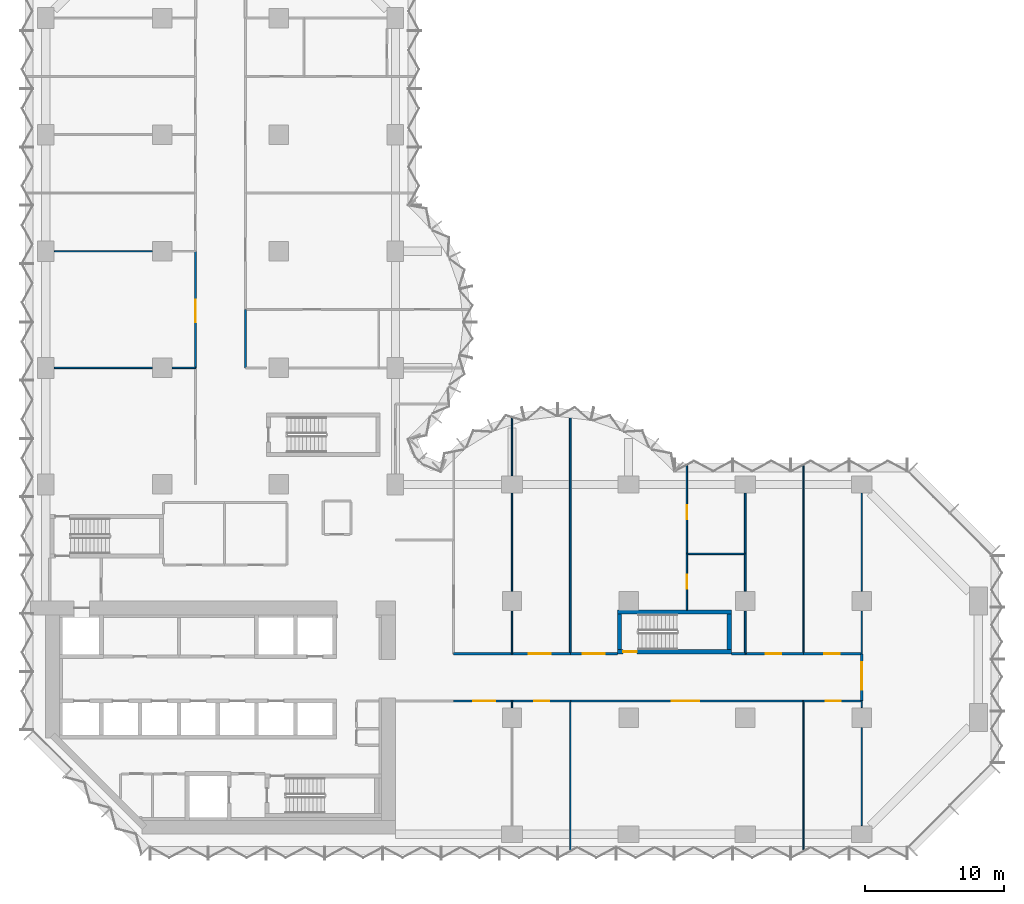
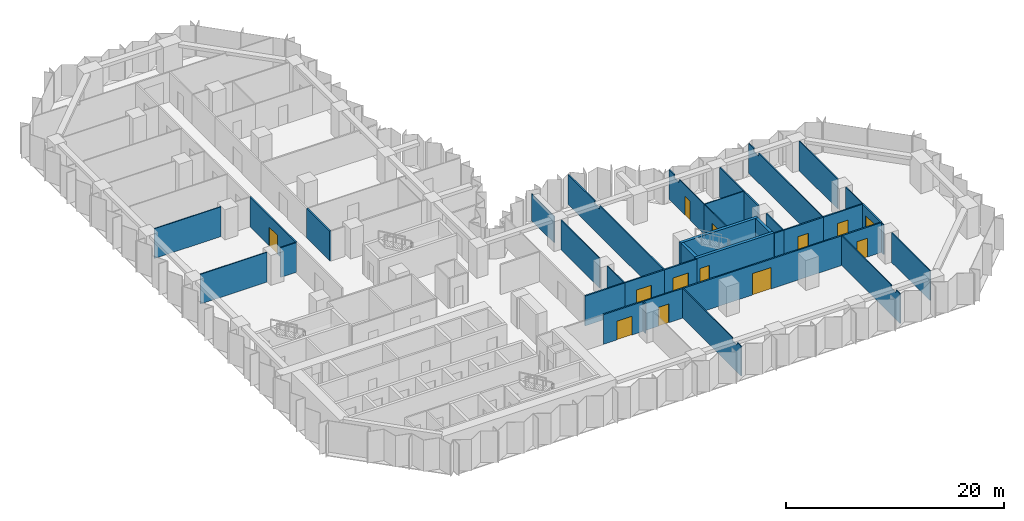
# One storey, part 10 of 15: 38 walls, 13 doors, 13 openings.
"""IFC4 building model written with IfcOpenShell, lengths in metres."""

from ifc_helpers import new_model, si_unit, direction, frame, frame_2d, origin, place, context, subcontext, project, spatial, polyline, rectangle, outline, extrude, material, layer, layer_set, type_object, element, fill, save


model = new_model("IFC4")

# Units and contexts
model_context = context("Model", 3, precision=1e-05, world=origin(), true_north=direction((0.0, 1.0)))
body_context = subcontext(model_context, "Body", "Model", "MODEL_VIEW")
ifc_project = project(units=[si_unit("LENGTHUNIT", "METRE"), si_unit("AREAUNIT", "SQUARE_METRE"), si_unit("VOLUMEUNIT", "CUBIC_METRE"), si_unit("PLANEANGLEUNIT", "RADIAN"), si_unit("MASSUNIT", "GRAM", prefix="KILO")], contexts=[model_context])

# Site, building, storey
site_placement = place(None, origin())
site = spatial("IfcSite", under=ifc_project, at=site_placement, CompositionType="ELEMENT")
building_placement = place(site_placement, origin())
building = spatial("IfcBuilding", under=site, at=building_placement, Name="Brevane Broadcast Tower", CompositionType="ELEMENT")
storey_placement = place(building_placement, frame((0.0, 0.0, 68.89990234375)))
storey = spatial("IfcBuildingStorey", under=building, at=storey_placement, Name="L15", CompositionType="ELEMENT", Elevation=68.89990234375)

# Wall, opening, door
ifc_material_1 = material(Name="Concrete C80/95", Category="concrete")
ifc_layer_1 = layer(ifc_material_1, 0.300048828125)
ifc_layer_set_1 = layer_set([ifc_layer_1], Name="Core wall 300 mm C80/95")
wall_type_1 = type_object("IfcWallType", Name="Core wall 300 mm C80/95", PredefinedType="SHEAR", material=ifc_layer_set_1)
wall_1_placement = place(storey_placement, frame((49.39990234375, 13.14990234375, 0.0), z_axis=(0.0, 0.0, 1.0), x_axis=(-1.0, 0.0, 0.0)))
wall_1 = element("IfcWall", 1, at=wall_1_placement, inside=storey, type_object=wall_type_1, Name="L15 stair wall ST-4-S", PredefinedType="SHEAR", context=body_context, shape_type="SweptSolid", body=[
    extrude(rectangle(XDim=8.199951171875, YDim=0.300048828125, at=frame_2d((4.10009765625, 0.0))), origin(), (0.0, 0.0, 1.0), 3.35009765625),
])
opening_1_placement = place(wall_1_placement, frame((6.800048828125, 0.0, 0.0)))
opening_1 = element("IfcOpeningElement", 2, at=opening_1_placement, cuts=wall_1, Name="Opening L15-K15", PredefinedType="OPENING", context=body_context, shape_type="SweptSolid", body=[
    extrude(rectangle(XDim=1.0, YDim=2.10009765625, at=frame_2d((0.5, 1.050048828125))), frame((0.0, 0.159912109375, 0.0), z_axis=(0.0, -1.0, 0.0), x_axis=(1.0, 0.0, 0.0)), (0.0, 0.0, 1.0), 0.320068359375),
])
ifc_material_2 = material(Name="Steel", Category="steel")
door_type_1 = type_object("IfcDoorType", Name="Stair door 1000 x 2100", OperationType="SINGLE_SWING_LEFT", PredefinedType="DOOR", material=ifc_material_2)
door_1_placement = place(opening_1_placement, origin())
door_1 = element("IfcDoor", 3, at=door_1_placement, inside=storey, type_object=door_type_1, Name="Door L15-K15", OperationType="SINGLE_SWING_LEFT", OverallHeight=2.10009765625, OverallWidth=1.0, PredefinedType="DOOR", context=body_context, shape_type="SweptSolid", body=[
    extrude(rectangle(XDim=1.0, YDim=2.10009765625, at=frame_2d((0.5, 1.050048828125))), frame((0.0, 0.02490234375, 0.0), z_axis=(0.0, -1.0, 0.0), x_axis=(1.0, 0.0, 0.0)), (0.0, 0.0, 1.0), 0.050048828125),
])
fill(opening_1, door_1)

# Walls
wall_2_placement = place(storey_placement, frame((41.199951171875, 16.0, 0.0), z_axis=(0.0, 0.0, 1.0), x_axis=(1.0, 0.0, 0.0)))
element("IfcWall", 4, at=wall_2_placement, inside=storey, type_object=wall_type_1, Name="L15 stair wall ST-4-N", PredefinedType="SHEAR", context=body_context, shape_type="SweptSolid", body=[
    extrude(rectangle(XDim=8.199951171875, YDim=0.300048828125, at=frame_2d((4.10009765625, 0.0))), origin(), (0.0, 0.0, 1.0), 3.35009765625),
])
for number, where, z_axis, x_axis, name in (
    (5, (41.35009765625, 13.300048828125, 0.0), (0.0, 0.0, 1.0), (0.0, 1.0, 0.0), "L15 stair wall ST-4-W"),
    (6, (49.25, 13.300048828125, 0.0), (0.0, 0.0, 1.0), (0.0, 1.0, 0.0), "L15 stair wall ST-4-E"),
):
    element("IfcWall", number, at=place(storey_placement, frame(where, z_axis=z_axis, x_axis=x_axis)), inside=storey, type_object=wall_type_1, Name=name, PredefinedType="SHEAR", context=body_context, shape_type="SweptSolid", body=[
        extrude(rectangle(XDim=2.550048828125, YDim=0.300048828125, at=frame_2d((1.27490234375, 0.0))), origin(), (0.0, 0.0, 1.0), 3.35009765625),
    ])
ifc_material_3 = material(Name="Gypsum board partition")
ifc_layer_2 = layer(ifc_material_3, 0.10009765625)
ifc_layer_set_2 = layer_set([ifc_layer_2], Name="PARTITION 100 STUD")
wall_type_2 = type_object("IfcWallType", Name="PARTITION 100 STUD", PredefinedType="PARTITIONING", material=ifc_layer_set_2)
wall_3_placement = place(storey_placement, frame((58.800048828125, 0.6201171875, 0.0), z_axis=(0.0, 0.0, 1.0), x_axis=(0.0, 1.0, 0.0)))
element("IfcWall", 7, at=wall_3_placement, inside=storey, type_object=wall_type_2, Name="Partition G04-018", PredefinedType="PARTITIONING", context=body_context, shape_type="SweptSolid", body=[
    extrude(rectangle(XDim=7.059814453125, YDim=0.10009765625, at=frame_2d((3.52978515625, 0.0))), origin(), (0.0, 0.0, 1.0), 3.330078125),
])
wall_4_placement = place(storey_placement, frame((58.800048828125, 9.1201171875, 0.0), z_axis=(0.0, 0.0, 1.0), x_axis=(0.0, 1.0, 0.0)))
element("IfcWall", 8, at=wall_4_placement, inside=storey, type_object=wall_type_2, Name="Partition G04-019", PredefinedType="PARTITIONING", context=body_context, shape_type="SweptSolid", body=[
    extrude(rectangle(XDim=0.47998046875, YDim=0.10009765625, at=frame_2d((0.239990234375, 0.0))), origin(), (0.0, 0.0, 1.0), 3.330078125),
])
wall_5_placement = place(storey_placement, frame((58.800048828125, 13.0, 0.0), z_axis=(0.0, 0.0, 1.0), x_axis=(0.0, 1.0, 0.0)))
element("IfcWall", 9, at=wall_5_placement, inside=storey, type_object=wall_type_2, Name="Partition G04-020", PredefinedType="PARTITIONING", context=body_context, shape_type="SweptSolid", body=[
    extrude(rectangle(XDim=3.080078125, YDim=0.10009765625, at=frame_2d((1.5400390625, 0.0))), origin(), (0.0, 0.0, 1.0), 3.330078125),
])
wall_6_placement = place(storey_placement, frame((58.800048828125, 17.52001953125, 0.0), z_axis=(0.0, 0.0, 1.0), x_axis=(0.0, 1.0, 0.0)))
element("IfcWall", 10, at=wall_6_placement, inside=storey, type_object=wall_type_2, Name="Partition G04-021", PredefinedType="PARTITIONING", context=body_context, shape_type="SweptSolid", body=[
    extrude(rectangle(XDim=7.06005859375, YDim=0.10009765625, at=frame_2d((3.530029296875, 0.0))), origin(), (0.0, 0.0, 1.0), 3.330078125),
])
wall_7_placement = place(storey_placement, frame((33.60009765625, 9.60009765625, 0.0), z_axis=(0.0, 0.0, 1.0), x_axis=(0.0, -1.0, 0.0)))
element("IfcWall", 11, at=wall_7_placement, inside=storey, type_object=wall_type_2, Name="Partition G04-022", PredefinedType="PARTITIONING", context=body_context, shape_type="SweptSolid", body=[
    extrude(rectangle(XDim=0.47998046875, YDim=0.10009765625, at=frame_2d((0.239990234375, 0.0))), origin(), (0.0, 0.0, 1.0), 3.330078125),
])
for number, where, z_axis, x_axis, name in (
    (12, (37.800048828125, 9.60009765625, 0.0), (0.0, 0.0, 1.0), (0.0, -1.0, 0.0), "Partition G04-024"),
    (13, (54.60009765625, 9.60009765625, 0.0), (0.0, 0.0, 1.0), (0.0, -1.0, 0.0), "Partition G04-025"),
):
    element("IfcWall", number, at=place(storey_placement, frame(where, z_axis=z_axis, x_axis=x_axis)), inside=storey, type_object=wall_type_2, Name=name, PredefinedType="PARTITIONING", context=body_context, shape_type="SweptSolid", body=[
        extrude(outline(polyline([(0.0, 0.0), (10.774169921875, 0.0), (10.77392578125, 3.330078125), (10.699951171875, 3.330078125), (10.050048828125, 3.330078125), (10.048095703125, 2.97998046875), (9.152099609375, 2.97998046875), (9.14990234375, 3.330078125), (0.0, 3.330078125), (0.0, 0.0)])), frame((0.0, 0.050048828125, 0.0), z_axis=(0.0, -1.0, 0.0), x_axis=(1.0, 0.0, 0.0)), (0.0, 0.0, 1.0), 0.10009765625),
    ])
wall_8_placement = place(storey_placement, frame((33.60009765625, 29.98828125, 0.0), z_axis=(0.0, 0.0, 1.0), x_axis=(0.0, -1.0, 0.0)))
element("IfcWall", 14, at=wall_8_placement, inside=storey, type_object=wall_type_2, Name="Partition G04-026", PredefinedType="PARTITIONING", context=body_context, shape_type="SweptSolid", body=[
    extrude(rectangle(XDim=4.168212890625, YDim=0.10009765625, at=frame_2d((2.083984375, 0.0))), origin(), (0.0, 0.0, 1.0), 2.97998046875),
])
wall_9_placement = place(storey_placement, frame((33.60009765625, 24.580078125, 0.0), z_axis=(0.0, 0.0, 1.0), x_axis=(0.0, -1.0, 0.0)))
element("IfcWall", 15, at=wall_9_placement, inside=storey, type_object=wall_type_2, Name="Partition G04-027", PredefinedType="PARTITIONING", context=body_context, shape_type="SweptSolid", body=[
    extrude(rectangle(XDim=7.06005859375, YDim=0.10009765625, at=frame_2d((3.530029296875, 0.0))), origin(), (0.0, 0.0, 1.0), 3.330078125),
])
wall_10_placement = place(storey_placement, frame((33.60009765625, 16.080078125, 0.0), z_axis=(0.0, 0.0, 1.0), x_axis=(0.0, -1.0, 0.0)))
element("IfcWall", 16, at=wall_10_placement, inside=storey, type_object=wall_type_2, Name="Partition G04-028", PredefinedType="PARTITIONING", context=body_context, shape_type="SweptSolid", body=[
    extrude(rectangle(XDim=3.080078125, YDim=0.10009765625, at=frame_2d((1.5400390625, 0.0))), origin(), (0.0, 0.0, 1.0), 3.330078125),
])

# Wall, opening, door
wall_11_placement = place(storey_placement, frame((46.199951171875, 20.199951171875, 0.0), z_axis=(0.0, 0.0, 1.0), x_axis=(0.0, -1.0, 0.0)))
wall_11 = element("IfcWall", 17, at=wall_11_placement, inside=storey, type_object=wall_type_2, Name="Partition G04-030", PredefinedType="PARTITIONING", context=body_context, shape_type="SweptSolid", body=[
    extrude(rectangle(XDim=4.050048828125, YDim=0.10009765625, at=frame_2d((2.02490234375, 0.0))), origin(), (0.0, 0.0, 1.0), 3.330078125),
])
opening_2_placement = place(wall_11_placement, frame((1.5, 0.0, 0.0)))
opening_2 = element("IfcOpeningElement", 18, at=opening_2_placement, cuts=wall_11, Name="Opening D10-010", PredefinedType="OPENING", context=body_context, shape_type="SweptSolid", body=[
    extrude(rectangle(XDim=1.0, YDim=2.10009765625, at=frame_2d((0.5, 1.050048828125))), frame((0.0, 0.06005859375, 0.0), z_axis=(0.0, -1.0, 0.0), x_axis=(1.0, 0.0, 0.0)), (0.0, 0.0, 1.0), 0.1201171875),
])
ifc_material_4 = material(Name="Timber door leaf", Category="wood")
door_type_2 = type_object("IfcDoorType", Name="DOOR SINGLE 1000 INTERNAL", OperationType="SINGLE_SWING_LEFT", PredefinedType="DOOR", material=ifc_material_4)
door_2_placement = place(opening_2_placement, origin())
door_2 = element("IfcDoor", 19, at=door_2_placement, inside=storey, type_object=door_type_2, Name="Door D10-010", OperationType="SINGLE_SWING_LEFT", OverallHeight=2.10009765625, OverallWidth=1.0, PredefinedType="DOOR", context=body_context, shape_type="SweptSolid", body=[
    extrude(rectangle(XDim=1.0, YDim=2.10009765625, at=frame_2d((0.5, 1.050048828125))), frame((0.0, 0.02490234375, 0.0), z_axis=(0.0, -1.0, 0.0), x_axis=(1.0, 0.0, 0.0)), (0.0, 0.0, 1.0), 0.050048828125),
])
fill(opening_2, door_2)

wall_12_placement = place(storey_placement, frame((46.199951171875, 26.56494140625, 0.0), z_axis=(0.0, 0.0, 1.0), x_axis=(0.0, -1.0, 0.0)))
wall_12 = element("IfcWall", 20, at=wall_12_placement, inside=storey, type_object=wall_type_2, Name="Partition G04-031", PredefinedType="PARTITIONING", context=body_context, shape_type="SweptSolid", body=[
    extrude(outline(polyline([(0.0, 0.0), (6.364990234375, 0.0), (6.364990234375, 3.330078125), (1.81494140625, 3.330078125), (1.81298828125, 2.97998046875), (0.9169921875, 2.97998046875), (0.9150390625, 3.330078125), (0.264892578125, 3.330078125), (0.0, 3.330078125), (0.0, 0.0)])), frame((0.0, 0.050048828125, 0.0), z_axis=(0.0, -1.0, 0.0), x_axis=(1.0, 0.0, 0.0)), (0.0, 0.0, 1.0), 0.10009765625),
])
opening_3_placement = place(wall_12_placement, frame((2.864990234375, 0.0, 0.0)))
opening_3 = element("IfcOpeningElement", 21, at=opening_3_placement, cuts=wall_12, Name="Opening D10-011", PredefinedType="OPENING", context=body_context, shape_type="SweptSolid", body=[
    extrude(rectangle(XDim=1.0, YDim=2.10009765625, at=frame_2d((0.5, 1.050048828125))), frame((0.0, 0.06005859375, 0.0), z_axis=(0.0, -1.0, 0.0), x_axis=(1.0, 0.0, 0.0)), (0.0, 0.0, 1.0), 0.1201171875),
])
door_3_placement = place(opening_3_placement, origin())
door_3 = element("IfcDoor", 22, at=door_3_placement, inside=storey, type_object=door_type_2, Name="Door D10-011", OperationType="SINGLE_SWING_LEFT", OverallHeight=2.10009765625, OverallWidth=1.0, PredefinedType="DOOR", context=body_context, shape_type="SweptSolid", body=[
    extrude(rectangle(XDim=1.0, YDim=2.10009765625, at=frame_2d((0.5, 1.050048828125))), frame((0.0, 0.02490234375, 0.0), z_axis=(0.0, -1.0, 0.0), x_axis=(1.0, 0.0, 0.0)), (0.0, 0.0, 1.0), 0.050048828125),
])
fill(opening_3, door_3)

# Walls
wall_13_placement = place(storey_placement, frame((46.199951171875, 20.199951171875, 0.0), z_axis=(0.0, 0.0, 1.0), x_axis=(1.0, 0.0, 0.0)))
element("IfcWall", 23, at=wall_13_placement, inside=storey, type_object=wall_type_2, Name="Partition G04-032", PredefinedType="PARTITIONING", context=body_context, shape_type="SweptSolid", body=[
    extrude(rectangle(XDim=4.199951171875, YDim=0.10009765625, at=frame_2d((2.10009765625, 0.0))), origin(), (0.0, 0.0, 1.0), 3.330078125),
])
wall_14_placement = place(storey_placement, frame((54.60009765625, 26.56494140625, 0.0), z_axis=(0.0, 0.0, 1.0), x_axis=(0.0, -1.0, 0.0)))
element("IfcWall", 24, at=wall_14_placement, inside=storey, type_object=wall_type_2, Name="Partition G04-036", PredefinedType="PARTITIONING", context=body_context, shape_type="SweptSolid", body=[
    extrude(outline(polyline([(0.0, 0.0), (13.56494140625, 0.0), (13.56494140625, 3.330078125), (1.81494140625, 3.330078125), (1.81298828125, 2.97998046875), (0.9169921875, 2.97998046875), (0.9150390625, 3.330078125), (0.264892578125, 3.330078125), (0.0, 3.330078125), (0.0, 0.0)])), frame((0.0, 0.050048828125, 0.0), z_axis=(0.0, -1.0, 0.0), x_axis=(1.0, 0.0, 0.0)), (0.0, 0.0, 1.0), 0.10009765625),
])
wall_15_placement = place(storey_placement, frame((0.6201171875, 33.60009765625, 0.0), z_axis=(0.0, 0.0, 1.0), x_axis=(1.0, 0.0, 0.0)))
element("IfcWall", 25, at=wall_15_placement, inside=storey, type_object=wall_type_2, Name="Partition G04-056", PredefinedType="PARTITIONING", context=body_context, shape_type="SweptSolid", body=[
    extrude(rectangle(XDim=7.059814453125, YDim=0.10009765625, at=frame_2d((3.52978515625, 0.0))), origin(), (0.0, 0.0, 1.0), 3.330078125),
])
wall_16_placement = place(storey_placement, frame((9.1201171875, 33.60009765625, 0.0), z_axis=(0.0, 0.0, 1.0), x_axis=(1.0, 0.0, 0.0)))
element("IfcWall", 26, at=wall_16_placement, inside=storey, type_object=wall_type_2, Name="Partition G04-057", PredefinedType="PARTITIONING", context=body_context, shape_type="SweptSolid", body=[
    extrude(rectangle(XDim=1.679931640625, YDim=0.10009765625, at=frame_2d((0.83984375, 0.0))), origin(), (0.0, 0.0, 1.0), 3.330078125),
])
wall_17_placement = place(storey_placement, frame((0.6201171875, 42.0, 0.0), z_axis=(0.0, 0.0, 1.0), x_axis=(1.0, 0.0, 0.0)))
element("IfcWall", 27, at=wall_17_placement, inside=storey, type_object=wall_type_2, Name="Partition G04-058", PredefinedType="PARTITIONING", context=body_context, shape_type="SweptSolid", body=[
    extrude(rectangle(XDim=7.059814453125, YDim=0.10009765625, at=frame_2d((3.52978515625, 0.0))), origin(), (0.0, 0.0, 1.0), 3.330078125),
])
ifc_layer_3 = layer(ifc_material_3, 0.125)
ifc_layer_set_3 = layer_set([ifc_layer_3], Name="PARTITION 125 ACOUSTIC")
wall_type_3 = type_object("IfcWallType", Name="PARTITION 125 ACOUSTIC", PredefinedType="PARTITIONING", material=ifc_layer_set_3)
wall_18_placement = place(storey_placement, frame((37.800048828125, 30.52587890625, 0.0), z_axis=(0.0, 0.0, 1.0), x_axis=(0.0, -1.0, 0.0)))
element("IfcWall", 28, at=wall_18_placement, inside=storey, type_object=wall_type_3, Name="Partition G04-029", PredefinedType="PARTITIONING", context=body_context, shape_type="SweptSolid", body=[
    extrude(outline(polyline([(0.0, 0.0), (17.52587890625, 0.0), (17.52587890625, 3.330078125), (5.77587890625, 3.330078125), (5.77392578125, 2.97998046875), (4.8779296875, 2.97998046875), (4.8759765625, 3.330078125), (0.283203125, 3.330078125), (0.0, 3.330078125), (0.0, 0.0)])), frame((0.0, 0.0625, 0.0), z_axis=(0.0, -1.0, 0.0), x_axis=(1.0, 0.0, 0.0)), (0.0, 0.0, 1.0), 0.125),
])
wall_19_placement = place(storey_placement, frame((50.39990234375, 20.199951171875, 0.0), z_axis=(0.0, 0.0, 1.0), x_axis=(0.0, -1.0, 0.0)))
element("IfcWall", 29, at=wall_19_placement, inside=storey, type_object=wall_type_3, Name="Partition G04-033", PredefinedType="PARTITIONING", context=body_context, shape_type="SweptSolid", body=[
    extrude(rectangle(XDim=2.679931640625, YDim=0.125, at=frame_2d((1.33984375, 0.0))), origin(), (0.0, 0.0, 1.0), 3.330078125),
])
wall_20_placement = place(storey_placement, frame((50.39990234375, 16.080078125, 0.0), z_axis=(0.0, 0.0, 1.0), x_axis=(0.0, -1.0, 0.0)))
element("IfcWall", 30, at=wall_20_placement, inside=storey, type_object=wall_type_3, Name="Partition G04-034", PredefinedType="PARTITIONING", context=body_context, shape_type="SweptSolid", body=[
    extrude(rectangle(XDim=3.080078125, YDim=0.125, at=frame_2d((1.5400390625, 0.0))), origin(), (0.0, 0.0, 1.0), 3.330078125),
])
wall_21_placement = place(storey_placement, frame((50.39990234375, 24.580078125, 0.0), z_axis=(0.0, 0.0, 1.0), x_axis=(0.0, -1.0, 0.0)))
element("IfcWall", 31, at=wall_21_placement, inside=storey, type_object=wall_type_3, Name="Partition G04-035", PredefinedType="PARTITIONING", context=body_context, shape_type="SweptSolid", body=[
    extrude(rectangle(XDim=4.380126953125, YDim=0.125, at=frame_2d((2.18994140625, 0.0))), origin(), (0.0, 0.0, 1.0), 3.330078125),
])

# Wall, opening, door
ifc_layer_4 = layer(ifc_material_3, 0.14990234375)
ifc_layer_set_4 = layer_set([ifc_layer_4], Name="PARTITION 150 EI 60")
wall_type_4 = type_object("IfcWallType", Name="PARTITION 150 EI 60", PredefinedType="PARTITIONING", material=ifc_layer_set_4)
wall_22_placement = place(storey_placement, frame((58.800048828125, 13.0, 0.0), z_axis=(0.0, 0.0, 1.0), x_axis=(0.0, -1.0, 0.0)))
wall_22 = element("IfcWall", 32, at=wall_22_placement, inside=storey, type_object=wall_type_4, Name="Partition G04-007", PredefinedType="PARTITIONING", context=body_context, shape_type="SweptSolid", body=[
    extrude(rectangle(XDim=3.39990234375, YDim=0.14990234375, at=frame_2d((1.699951171875, 0.0))), origin(), (0.0, 0.0, 1.0), 3.330078125),
])
opening_4_placement = place(wall_22_placement, frame((0.60009765625, 0.0, 0.0)))
opening_4 = element("IfcOpeningElement", 33, at=opening_4_placement, cuts=wall_22, Name="Opening D10-002", PredefinedType="OPENING", context=body_context, shape_type="SweptSolid", body=[
    extrude(rectangle(XDim=2.0, YDim=2.39990234375, at=frame_2d((1.0, 1.199951171875))), frame((0.0, 0.0849609375, 0.0), z_axis=(0.0, -1.0, 0.0), x_axis=(1.0, 0.0, 0.0)), (0.0, 0.0, 1.0), 0.169921875),
])
ifc_material_5 = material(Name="Fire-rated timber door leaf", Category="wood")
door_type_3 = type_object("IfcDoorType", Name="DOOR DOUBLE 2000 FD30S", OperationType="DOUBLE_DOOR_SINGLE_SWING", PredefinedType="DOOR", material=ifc_material_5)
door_4_placement = place(opening_4_placement, origin())
door_4 = element("IfcDoor", 34, at=door_4_placement, inside=storey, type_object=door_type_3, Name="Door D10-002", OperationType="DOUBLE_DOOR_SINGLE_SWING", OverallHeight=2.39990234375, OverallWidth=2.0, PredefinedType="DOOR", context=body_context, shape_type="SweptSolid", body=[
    extrude(rectangle(XDim=2.0, YDim=2.39990234375, at=frame_2d((1.0, 1.199951171875))), frame((0.0, 0.02490234375, 0.0), z_axis=(0.0, -1.0, 0.0), x_axis=(1.0, 0.0, 0.0)), (0.0, 0.0, 1.0), 0.050048828125),
])
fill(opening_4, door_4)

wall_23_placement = place(storey_placement, frame((33.60009765625, 9.60009765625, 0.0), z_axis=(0.0, 0.0, 1.0), x_axis=(-1.0, 0.0, 0.0)))
wall_23 = element("IfcWall", 35, at=wall_23_placement, inside=storey, type_object=wall_type_4, Name="Partition G04-008", PredefinedType="PARTITIONING", context=body_context, shape_type="SweptSolid", body=[
    extrude(rectangle(XDim=4.2001953125, YDim=0.14990234375, at=frame_2d((2.10009765625, 0.0))), origin(), (0.0, 0.0, 1.0), 3.330078125),
])
opening_5_placement = place(wall_23_placement, frame((1.199951171875, 0.0, 0.0)))
opening_5 = element("IfcOpeningElement", 36, at=opening_5_placement, cuts=wall_23, Name="Opening D10-003", PredefinedType="OPENING", context=body_context, shape_type="SweptSolid", body=[
    extrude(rectangle(XDim=1.60009765625, YDim=2.10009765625, at=frame_2d((0.800048828125, 1.050048828125))), frame((0.0, 0.0849609375, 0.0), z_axis=(0.0, -1.0, 0.0), x_axis=(1.0, 0.0, 0.0)), (0.0, 0.0, 1.0), 0.169921875),
])
door_type_4 = type_object("IfcDoorType", Name="DOOR DOUBLE 1600 FD30S", OperationType="DOUBLE_DOOR_SINGLE_SWING", PredefinedType="DOOR", material=ifc_material_5)
door_5_placement = place(opening_5_placement, origin())
door_5 = element("IfcDoor", 37, at=door_5_placement, inside=storey, type_object=door_type_4, Name="Door D10-003", OperationType="DOUBLE_DOOR_SINGLE_SWING", OverallHeight=2.10009765625, OverallWidth=1.60009765625, PredefinedType="DOOR", context=body_context, shape_type="SweptSolid", body=[
    extrude(rectangle(XDim=1.60009765625, YDim=2.10009765625, at=frame_2d((0.800048828125, 1.050048828125))), frame((0.0, 0.02490234375, 0.0), z_axis=(0.0, -1.0, 0.0), x_axis=(1.0, 0.0, 0.0)), (0.0, 0.0, 1.0), 0.050048828125),
])
fill(opening_5, door_5)

wall_24_placement = place(storey_placement, frame((37.800048828125, 9.60009765625, 0.0), z_axis=(0.0, 0.0, 1.0), x_axis=(-1.0, 0.0, 0.0)))
wall_24 = element("IfcWall", 38, at=wall_24_placement, inside=storey, type_object=wall_type_4, Name="Partition G04-009", PredefinedType="PARTITIONING", context=body_context, shape_type="SweptSolid", body=[
    extrude(rectangle(XDim=4.199951171875, YDim=0.14990234375, at=frame_2d((2.10009765625, 0.0))), origin(), (0.0, 0.0, 1.0), 3.330078125),
])
opening_6_placement = place(wall_24_placement, frame((1.5, 0.0, 0.0)))
opening_6 = element("IfcOpeningElement", 39, at=opening_6_placement, cuts=wall_24, Name="Opening D10-004", PredefinedType="OPENING", context=body_context, shape_type="SweptSolid", body=[
    extrude(rectangle(XDim=1.10009765625, YDim=2.10009765625, at=frame_2d((0.550048828125, 1.050048828125))), frame((0.0, 0.0849609375, 0.0), z_axis=(0.0, -1.0, 0.0), x_axis=(1.0, 0.0, 0.0)), (0.0, 0.0, 1.0), 0.169921875),
])
door_type_5 = type_object("IfcDoorType", Name="DOOR SINGLE 1100 FD30S", OperationType="SINGLE_SWING_LEFT", PredefinedType="DOOR", material=ifc_material_5)
door_6_placement = place(opening_6_placement, origin())
door_6 = element("IfcDoor", 40, at=door_6_placement, inside=storey, type_object=door_type_5, Name="Door D10-004", OperationType="SINGLE_SWING_LEFT", OverallHeight=2.10009765625, OverallWidth=1.10009765625, PredefinedType="DOOR", context=body_context, shape_type="SweptSolid", body=[
    extrude(rectangle(XDim=1.10009765625, YDim=2.10009765625, at=frame_2d((0.550048828125, 1.050048828125))), frame((0.0, 0.02490234375, 0.0), z_axis=(0.0, -1.0, 0.0), x_axis=(1.0, 0.0, 0.0)), (0.0, 0.0, 1.0), 0.050048828125),
])
fill(opening_6, door_6)

wall_25_placement = place(storey_placement, frame((54.60009765625, 9.60009765625, 0.0), z_axis=(0.0, 0.0, 1.0), x_axis=(-1.0, 0.0, 0.0)))
wall_25 = element("IfcWall", 41, at=wall_25_placement, inside=storey, type_object=wall_type_4, Name="Partition G04-010", PredefinedType="PARTITIONING", context=body_context, shape_type="SweptSolid", body=[
    extrude(rectangle(XDim=16.800048828125, YDim=0.14990234375, at=frame_2d((8.39990234375, 0.0))), origin(), (0.0, 0.0, 1.0), 3.330078125),
])
opening_7_placement = place(wall_25_placement, frame((7.5, 0.0, 0.0)))
opening_7 = element("IfcOpeningElement", 42, at=opening_7_placement, cuts=wall_25, Name="Opening D10-005", PredefinedType="OPENING", context=body_context, shape_type="SweptSolid", body=[
    extrude(rectangle(XDim=2.0, YDim=2.39990234375, at=frame_2d((1.0, 1.199951171875))), frame((0.0, 0.0849609375, 0.0), z_axis=(0.0, -1.0, 0.0), x_axis=(1.0, 0.0, 0.0)), (0.0, 0.0, 1.0), 0.169921875),
])
door_7_placement = place(opening_7_placement, origin())
door_7 = element("IfcDoor", 43, at=door_7_placement, inside=storey, type_object=door_type_3, Name="Door D10-005", OperationType="DOUBLE_DOOR_SINGLE_SWING", OverallHeight=2.39990234375, OverallWidth=2.0, PredefinedType="DOOR", context=body_context, shape_type="SweptSolid", body=[
    extrude(rectangle(XDim=2.0, YDim=2.39990234375, at=frame_2d((1.0, 1.199951171875))), frame((0.0, 0.02490234375, 0.0), z_axis=(0.0, -1.0, 0.0), x_axis=(1.0, 0.0, 0.0)), (0.0, 0.0, 1.0), 0.050048828125),
])
fill(opening_7, door_7)

wall_26_placement = place(storey_placement, frame((58.800048828125, 9.60009765625, 0.0), z_axis=(0.0, 0.0, 1.0), x_axis=(-1.0, 0.0, 0.0)))
wall_26 = element("IfcWall", 44, at=wall_26_placement, inside=storey, type_object=wall_type_4, Name="Partition G04-011", PredefinedType="PARTITIONING", context=body_context, shape_type="SweptSolid", body=[
    extrude(rectangle(XDim=4.199951171875, YDim=0.14990234375, at=frame_2d((2.10009765625, 0.0))), origin(), (0.0, 0.0, 1.0), 3.330078125),
])
opening_8_placement = place(wall_26_placement, frame((1.5, 0.0, 0.0)))
opening_8 = element("IfcOpeningElement", 45, at=opening_8_placement, cuts=wall_26, Name="Opening D10-006", PredefinedType="OPENING", context=body_context, shape_type="SweptSolid", body=[
    extrude(rectangle(XDim=1.10009765625, YDim=2.10009765625, at=frame_2d((0.550048828125, 1.050048828125))), frame((0.0, 0.0849609375, 0.0), z_axis=(0.0, -1.0, 0.0), x_axis=(1.0, 0.0, 0.0)), (0.0, 0.0, 1.0), 0.169921875),
])
door_8_placement = place(opening_8_placement, origin())
door_8 = element("IfcDoor", 46, at=door_8_placement, inside=storey, type_object=door_type_5, Name="Door D10-006", OperationType="SINGLE_SWING_LEFT", OverallHeight=2.10009765625, OverallWidth=1.10009765625, PredefinedType="DOOR", context=body_context, shape_type="SweptSolid", body=[
    extrude(rectangle(XDim=1.10009765625, YDim=2.10009765625, at=frame_2d((0.550048828125, 1.050048828125))), frame((0.0, 0.02490234375, 0.0), z_axis=(0.0, -1.0, 0.0), x_axis=(1.0, 0.0, 0.0)), (0.0, 0.0, 1.0), 0.050048828125),
])
fill(opening_8, door_8)

# Wall
wall_27_placement = place(storey_placement, frame((29.39990234375, 13.0, 0.0), z_axis=(0.0, 0.0, 1.0), x_axis=(1.0, 0.0, 0.0)))
element("IfcWall", 47, at=wall_27_placement, inside=storey, type_object=wall_type_4, Name="Partition G04-012", PredefinedType="PARTITIONING", context=body_context, shape_type="SweptSolid", body=[
    extrude(rectangle(XDim=4.2001953125, YDim=0.14990234375, at=frame_2d((2.10009765625, 0.0))), origin(), (0.0, 0.0, 1.0), 3.330078125),
])

# Wall, opening, door
wall_28_placement = place(storey_placement, frame((33.60009765625, 13.0, 0.0), z_axis=(0.0, 0.0, 1.0), x_axis=(1.0, 0.0, 0.0)))
wall_28 = element("IfcWall", 48, at=wall_28_placement, inside=storey, type_object=wall_type_4, Name="Partition G04-013", PredefinedType="PARTITIONING", context=body_context, shape_type="SweptSolid", body=[
    extrude(rectangle(XDim=4.199951171875, YDim=0.14990234375, at=frame_2d((2.10009765625, 0.0))), origin(), (0.0, 0.0, 1.0), 3.330078125),
])
opening_9_placement = place(wall_28_placement, frame((1.199951171875, 0.0, 0.0)))
opening_9 = element("IfcOpeningElement", 49, at=opening_9_placement, cuts=wall_28, Name="Opening D10-008", PredefinedType="OPENING", context=body_context, shape_type="SweptSolid", body=[
    extrude(rectangle(XDim=1.60009765625, YDim=2.10009765625, at=frame_2d((0.800048828125, 1.050048828125))), frame((0.0, 0.0849609375, 0.0), z_axis=(0.0, -1.0, 0.0), x_axis=(1.0, 0.0, 0.0)), (0.0, 0.0, 1.0), 0.169921875),
])
door_9_placement = place(opening_9_placement, origin())
door_9 = element("IfcDoor", 50, at=door_9_placement, inside=storey, type_object=door_type_4, Name="Door D10-008", OperationType="DOUBLE_DOOR_SINGLE_SWING", OverallHeight=2.10009765625, OverallWidth=1.60009765625, PredefinedType="DOOR", context=body_context, shape_type="SweptSolid", body=[
    extrude(rectangle(XDim=1.60009765625, YDim=2.10009765625, at=frame_2d((0.800048828125, 1.050048828125))), frame((0.0, 0.02490234375, 0.0), z_axis=(0.0, -1.0, 0.0), x_axis=(1.0, 0.0, 0.0)), (0.0, 0.0, 1.0), 0.050048828125),
])
fill(opening_9, door_9)

wall_29_placement = place(storey_placement, frame((37.800048828125, 13.0, 0.0), z_axis=(0.0, 0.0, 1.0), x_axis=(1.0, 0.0, 0.0)))
wall_29 = element("IfcWall", 51, at=wall_29_placement, inside=storey, type_object=wall_type_4, Name="Partition G04-014", PredefinedType="PARTITIONING", context=body_context, shape_type="SweptSolid", body=[
    extrude(rectangle(XDim=3.39990234375, YDim=0.14990234375, at=frame_2d((1.699951171875, 0.0))), origin(), (0.0, 0.0, 1.0), 3.330078125),
])
opening_10_placement = place(wall_29_placement, frame((0.89990234375, 0.0, 0.0)))
opening_10 = element("IfcOpeningElement", 52, at=opening_10_placement, cuts=wall_29, Name="Opening D10-009", PredefinedType="OPENING", context=body_context, shape_type="SweptSolid", body=[
    extrude(rectangle(XDim=1.60009765625, YDim=2.10009765625, at=frame_2d((0.800048828125, 1.050048828125))), frame((0.0, 0.0849609375, 0.0), z_axis=(0.0, -1.0, 0.0), x_axis=(1.0, 0.0, 0.0)), (0.0, 0.0, 1.0), 0.169921875),
])
door_10_placement = place(opening_10_placement, origin())
door_10 = element("IfcDoor", 53, at=door_10_placement, inside=storey, type_object=door_type_4, Name="Door D10-009", OperationType="DOUBLE_DOOR_SINGLE_SWING", OverallHeight=2.10009765625, OverallWidth=1.60009765625, PredefinedType="DOOR", context=body_context, shape_type="SweptSolid", body=[
    extrude(rectangle(XDim=1.60009765625, YDim=2.10009765625, at=frame_2d((0.800048828125, 1.050048828125))), frame((0.0, 0.02490234375, 0.0), z_axis=(0.0, -1.0, 0.0), x_axis=(1.0, 0.0, 0.0)), (0.0, 0.0, 1.0), 0.050048828125),
])
fill(opening_10, door_10)

# Wall
wall_30_placement = place(storey_placement, frame((49.39990234375, 13.0, 0.0), z_axis=(0.0, 0.0, 1.0), x_axis=(1.0, 0.0, 0.0)))
element("IfcWall", 54, at=wall_30_placement, inside=storey, type_object=wall_type_4, Name="Partition G04-015", PredefinedType="PARTITIONING", context=body_context, shape_type="SweptSolid", body=[
    extrude(rectangle(XDim=1.0, YDim=0.14990234375, at=frame_2d((0.5, 0.0))), origin(), (0.0, 0.0, 1.0), 3.330078125),
])

# Wall, opening, door
wall_31_placement = place(storey_placement, frame((50.39990234375, 13.0, 0.0), z_axis=(0.0, 0.0, 1.0), x_axis=(1.0, 0.0, 0.0)))
wall_31 = element("IfcWall", 55, at=wall_31_placement, inside=storey, type_object=wall_type_4, Name="Partition G04-016", PredefinedType="PARTITIONING", context=body_context, shape_type="SweptSolid", body=[
    extrude(rectangle(XDim=4.2001953125, YDim=0.14990234375, at=frame_2d((2.10009765625, 0.0))), origin(), (0.0, 0.0, 1.0), 3.330078125),
])
opening_11_placement = place(wall_31_placement, frame((1.5, 0.0, 0.0)))
opening_11 = element("IfcOpeningElement", 56, at=opening_11_placement, cuts=wall_31, Name="Opening D10-012", PredefinedType="OPENING", context=body_context, shape_type="SweptSolid", body=[
    extrude(rectangle(XDim=1.10009765625, YDim=2.10009765625, at=frame_2d((0.550048828125, 1.050048828125))), frame((0.0, 0.0849609375, 0.0), z_axis=(0.0, -1.0, 0.0), x_axis=(1.0, 0.0, 0.0)), (0.0, 0.0, 1.0), 0.169921875),
])
door_11_placement = place(opening_11_placement, origin())
door_11 = element("IfcDoor", 57, at=door_11_placement, inside=storey, type_object=door_type_5, Name="Door D10-012", OperationType="SINGLE_SWING_LEFT", OverallHeight=2.10009765625, OverallWidth=1.10009765625, PredefinedType="DOOR", context=body_context, shape_type="SweptSolid", body=[
    extrude(rectangle(XDim=1.10009765625, YDim=2.10009765625, at=frame_2d((0.550048828125, 1.050048828125))), frame((0.0, 0.02490234375, 0.0), z_axis=(0.0, -1.0, 0.0), x_axis=(1.0, 0.0, 0.0)), (0.0, 0.0, 1.0), 0.050048828125),
])
fill(opening_11, door_11)

wall_32_placement = place(storey_placement, frame((54.60009765625, 13.0, 0.0), z_axis=(0.0, 0.0, 1.0), x_axis=(1.0, 0.0, 0.0)))
wall_32 = element("IfcWall", 58, at=wall_32_placement, inside=storey, type_object=wall_type_4, Name="Partition G04-017", PredefinedType="PARTITIONING", context=body_context, shape_type="SweptSolid", body=[
    extrude(rectangle(XDim=4.199951171875, YDim=0.14990234375, at=frame_2d((2.10009765625, 0.0))), origin(), (0.0, 0.0, 1.0), 3.330078125),
])
opening_12_placement = place(wall_32_placement, frame((1.5, 0.0, 0.0)))
opening_12 = element("IfcOpeningElement", 59, at=opening_12_placement, cuts=wall_32, Name="Opening D10-013", PredefinedType="OPENING", context=body_context, shape_type="SweptSolid", body=[
    extrude(rectangle(XDim=1.10009765625, YDim=2.10009765625, at=frame_2d((0.550048828125, 1.050048828125))), frame((0.0, 0.0849609375, 0.0), z_axis=(0.0, -1.0, 0.0), x_axis=(1.0, 0.0, 0.0)), (0.0, 0.0, 1.0), 0.169921875),
])
door_12_placement = place(opening_12_placement, origin())
door_12 = element("IfcDoor", 60, at=door_12_placement, inside=storey, type_object=door_type_5, Name="Door D10-013", OperationType="SINGLE_SWING_LEFT", OverallHeight=2.10009765625, OverallWidth=1.10009765625, PredefinedType="DOOR", context=body_context, shape_type="SweptSolid", body=[
    extrude(rectangle(XDim=1.10009765625, YDim=2.10009765625, at=frame_2d((0.550048828125, 1.050048828125))), frame((0.0, 0.02490234375, 0.0), z_axis=(0.0, -1.0, 0.0), x_axis=(1.0, 0.0, 0.0)), (0.0, 0.0, 1.0), 0.050048828125),
])
fill(opening_12, door_12)

wall_33_placement = place(storey_placement, frame((10.800048828125, 33.60009765625, 0.0), z_axis=(0.0, 0.0, 1.0), x_axis=(0.0, 1.0, 0.0)))
wall_33 = element("IfcWall", 61, at=wall_33_placement, inside=storey, type_object=wall_type_4, Name="Partition G04-043", PredefinedType="PARTITIONING", context=body_context, shape_type="SweptSolid", body=[
    extrude(rectangle(XDim=8.39990234375, YDim=0.14990234375, at=frame_2d((4.199951171875, 0.0))), origin(), (0.0, 0.0, 1.0), 3.330078125),
])
opening_13_placement = place(wall_33_placement, frame((3.300048828125, 0.0, 0.0)))
opening_13 = element("IfcOpeningElement", 62, at=opening_13_placement, cuts=wall_33, Name="Opening D10-016", PredefinedType="OPENING", context=body_context, shape_type="SweptSolid", body=[
    extrude(rectangle(XDim=1.60009765625, YDim=2.10009765625, at=frame_2d((0.800048828125, 1.050048828125))), frame((0.0, 0.0849609375, 0.0), z_axis=(0.0, -1.0, 0.0), x_axis=(1.0, 0.0, 0.0)), (0.0, 0.0, 1.0), 0.169921875),
])
door_13_placement = place(opening_13_placement, origin())
door_13 = element("IfcDoor", 63, at=door_13_placement, inside=storey, type_object=door_type_4, Name="Door D10-016", OperationType="DOUBLE_DOOR_SINGLE_SWING", OverallHeight=2.10009765625, OverallWidth=1.60009765625, PredefinedType="DOOR", context=body_context, shape_type="SweptSolid", body=[
    extrude(rectangle(XDim=1.60009765625, YDim=2.10009765625, at=frame_2d((0.800048828125, 1.050048828125))), frame((0.0, 0.02490234375, 0.0), z_axis=(0.0, -1.0, 0.0), x_axis=(1.0, 0.0, 0.0)), (0.0, 0.0, 1.0), 0.050048828125),
])
fill(opening_13, door_13)

# Wall
wall_34_placement = place(storey_placement, frame((14.39990234375, 37.800048828125, 0.0), z_axis=(0.0, 0.0, 1.0), x_axis=(0.0, -1.0, 0.0)))
element("IfcWall", 64, at=wall_34_placement, inside=storey, type_object=wall_type_4, Name="Partition G04-050", PredefinedType="PARTITIONING", context=body_context, shape_type="SweptSolid", body=[
    extrude(rectangle(XDim=4.199951171875, YDim=0.14990234375, at=frame_2d((2.10009765625, 0.0))), origin(), (0.0, 0.0, 1.0), 3.330078125),
])

save(model, "model.ifc")
